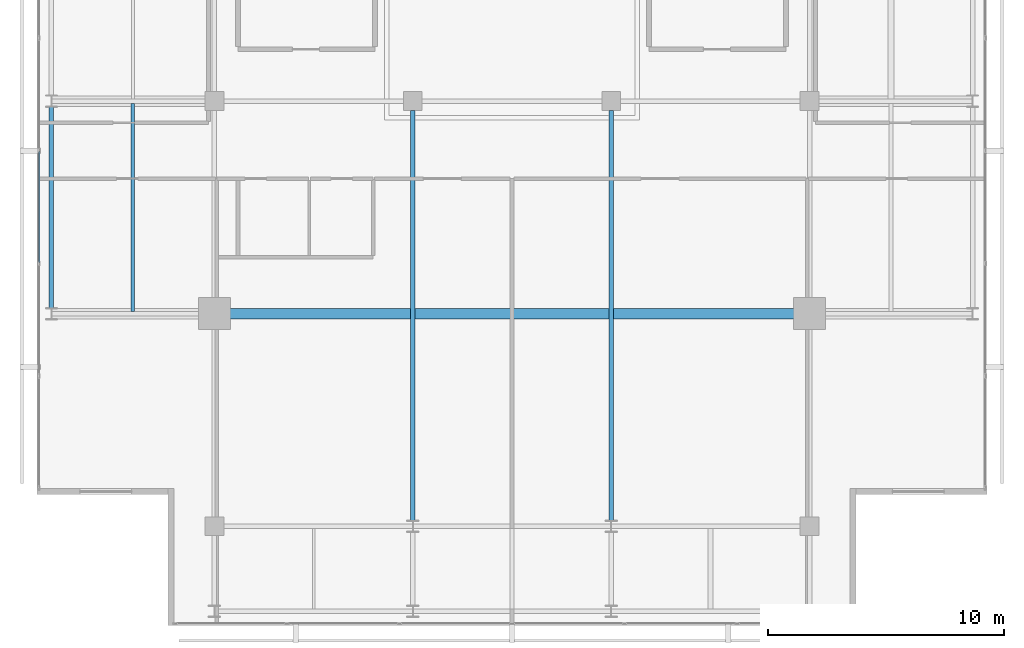
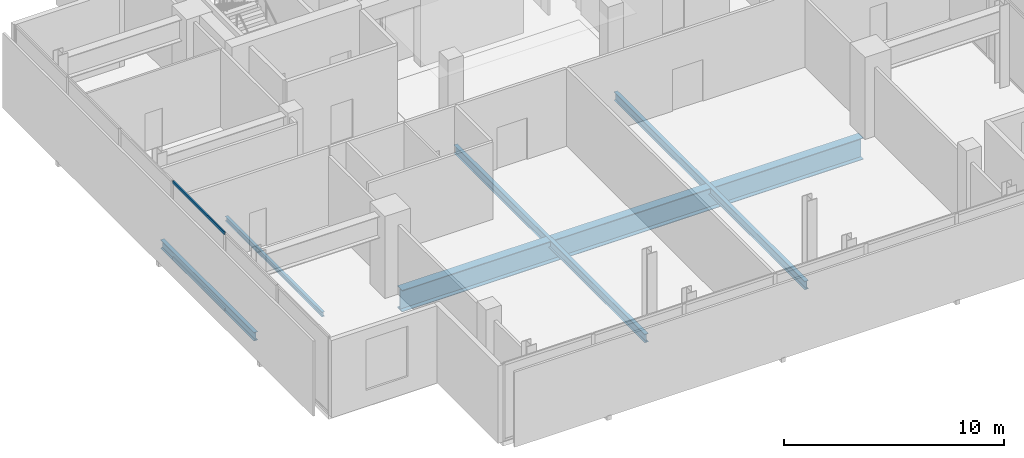
# One storey, part 6 of 23: 5 beams, 2 members, 1 element without a shape of its own.
"""IFC4 building model written with IfcOpenShell, lengths in metres."""

from ifc_helpers import new_model, si_unit, direction, frame, origin, origin_2d, place, context, subcontext, project, spatial, hollow_rectangle, i_section, extrude, material, layer, layer_set, material_profile, profile_set, type_object, element, aggregate, save


model = new_model("IFC4")

# Units and contexts
model_context = context("Model", 3, precision=1e-05, world=origin(), true_north=direction((0.0, 1.0)))
body_context = subcontext(model_context, "Body", "Model", "MODEL_VIEW")
ifc_project = project(units=[si_unit("LENGTHUNIT", "METRE"), si_unit("AREAUNIT", "SQUARE_METRE"), si_unit("VOLUMEUNIT", "CUBIC_METRE"), si_unit("PLANEANGLEUNIT", "RADIAN"), si_unit("MASSUNIT", "GRAM", prefix="KILO")], contexts=[model_context])

# Site, building, storey
site_placement = place(None, origin())
site = spatial("IfcSite", under=ifc_project, at=site_placement, CompositionType="ELEMENT")
building_placement = place(site_placement, origin())
building = spatial("IfcBuilding", under=site, at=building_placement, Name="Maruvema Waterfront Hotel and Observation Tower", CompositionType="ELEMENT")
storey_placement = place(building_placement, frame((0.0, 0.0, 349.64990234375)))
storey = spatial("IfcBuildingStorey", under=building, at=storey_placement, Name="L86", CompositionType="ELEMENT", Elevation=349.64990234375)

# Curtain wall, members
ifc_material_1 = material(Name="Anodised bronze aluminium and solar-control low-E IGU", Category="aluminium")
ifc_layer = layer(ifc_material_1, 0.159912109375, Name="Observation Crown Structural Glazed Curtain Wall System CW-06")
ifc_layer_set = layer_set([ifc_layer], Name="Anodised bronze aluminium and solar-control low-E IGU")
curtain_wall_type = type_object("IfcCurtainWallType", Name="Observation Crown Structural Glazed Curtain Wall System CW-06", PredefinedType="USERDEFINED", material=ifc_layer_set)
curtain_wall_placement = place(storey_placement, origin())
curtain_wall = element("IfcCurtainWall", 1, at=curtain_wall_placement, inside=storey, type_object=curtain_wall_type, Name="L86 Curtain Wall CW-L86-W", ObjectType="UNITISED CURTAIN WALL", PredefinedType="USERDEFINED")
ifc_material_2 = material(Name="Anodised architectural bronze aluminium", Category="aluminium")
ifc_material_profile_1 = material_profile(ifc_material_2, hollow_rectangle(XDim=0.070068359375, YDim=0.14990234375, WallThickness=0.00390625, at=origin_2d()), Name="ALU-T70x150")
ifc_profile_set_1 = profile_set([ifc_material_profile_1], Name="Anodised architectural bronze aluminium")
member_type = type_object("IfcMemberType", Name="Curtain Wall Horizontal Transom ALU-T70x150", PredefinedType="USERDEFINED", material=ifc_profile_set_1)
member_1_placement = place(storey_placement, frame((17.780029296875, 33.8701171875, 0.030029296875), z_axis=(0.0, -1.0, 0.0), x_axis=(1.0, 0.0, 0.0)))
member_1 = element("IfcMember", 2, at=member_1_placement, type_object=member_type, Name="CW-06 transom 4.1", ObjectType="TRANSOM", PredefinedType="USERDEFINED", context=body_context, shape_type="SweptSolid", body=[
    extrude(hollow_rectangle(XDim=0.070068359375, YDim=0.14990234375, WallThickness=0.00390625, at=origin_2d()), origin(), (0.0, 0.0, 1.0), 4.706787109375),
])
member_2_placement = place(storey_placement, frame((17.780029296875, 33.8701171875, 4.260009765625), z_axis=(0.0, -1.0, 0.0), x_axis=(1.0, 0.0, 0.0)))
member_2 = element("IfcMember", 3, at=member_2_placement, type_object=member_type, Name="CW-06 transom 4.2", ObjectType="TRANSOM", PredefinedType="USERDEFINED", context=body_context, shape_type="SweptSolid", body=[
    extrude(hollow_rectangle(XDim=0.070068359375, YDim=0.14990234375, WallThickness=0.00390625, at=origin_2d()), origin(), (0.0, 0.0, 1.0), 4.706787109375),
])
aggregate(curtain_wall, [member_1, member_2])

# Beams
ifc_material_3 = material(Name="Steel ASTM A572 Grade 50", Category="steel")
ifc_material_profile_2 = material_profile(ifc_material_3, i_section(OverallWidth=0.194091796875, OverallDepth=0.468994140625, WebThickness=0.0126953125, FlangeThickness=0.0205078125, FilletRadius=0.014892578125, at=origin_2d()), Name="W460x106.0")
ifc_profile_set_2 = profile_set([ifc_material_profile_2], Name="Steel ASTM A572 Grade 50")
beam_type_1 = type_object("IfcBeamType", Name="Primary Floor Girder W460x106.0", PredefinedType="BEAM", material=ifc_profile_set_2)
beam_1_placement = place(storey_placement, frame((18.300048828125, 27.25, -0.474365234375), z_axis=(0.0, 1.0, 0.0), x_axis=(-1.0, 0.0, 0.0)))
element("IfcBeam", 4, at=beam_1_placement, inside=storey, type_object=beam_type_1, Name="L86 Floor Girder NS-01", PredefinedType="BEAM", context=body_context, shape_type="SweptSolid", body=[
    extrude(i_section(OverallWidth=0.194091796875, OverallDepth=0.468994140625, WebThickness=0.0126953125, FlangeThickness=0.0205078125, FilletRadius=0.014892578125, at=origin_2d()), origin(), (0.0, 0.0, 1.0), 8.5),
])
for number, where, z_axis, x_axis, name in (
    (5, (33.60009765625, 18.25, -0.474365234375), (0.0, 1.0, 0.0), (-1.0, 0.0, 0.0), "L86 Floor Girder NS-08"),
    (6, (42.0, 18.25, -0.474365234375), (0.0, 1.0, 0.0), (-1.0, 0.0, 0.0), "L86 Floor Girder NS-10"),
):
    element("IfcBeam", number, at=place(storey_placement, frame(where, z_axis=z_axis, x_axis=x_axis)), inside=storey, type_object=beam_type_1, Name=name, PredefinedType="BEAM", context=body_context, shape_type="SweptSolid", body=[
        extrude(i_section(OverallWidth=0.194091796875, OverallDepth=0.468994140625, WebThickness=0.0126953125, FlangeThickness=0.0205078125, FilletRadius=0.014892578125, at=origin_2d()), origin(), (0.0, 0.0, 1.0), 17.35009765625),
    ])
ifc_material_4 = material(Name="Steel ASTM A572 Grade 50", Category="steel")
ifc_material_profile_3 = material_profile(ifc_material_4, i_section(OverallWidth=0.14599609375, OverallDepth=0.258056640625, WebThickness=0.006103515625, FlangeThickness=0.009033203125, FilletRadius=0.012939453125, at=origin_2d()), Name="W250x32.7")
ifc_profile_set_3 = profile_set([ifc_material_profile_3], Name="Steel ASTM A572 Grade 50")
beam_type_2 = type_object("IfcBeamType", Name="Secondary Floor Joist W250x32.7", PredefinedType="JOIST", material=ifc_profile_set_3)
beam_2_placement = place(storey_placement, frame((21.75, 27.096923828125, -0.368896484375), z_axis=(0.0, 1.0, 0.0), x_axis=(-1.0, 0.0, 0.0)))
element("IfcBeam", 7, at=beam_2_placement, inside=storey, type_object=beam_type_2, Name="L86 Secondary Floor Joist JS-01", PredefinedType="JOIST", context=body_context, shape_type="SweptSolid", body=[
    extrude(i_section(OverallWidth=0.14599609375, OverallDepth=0.258056640625, WebThickness=0.006103515625, FlangeThickness=0.009033203125, FilletRadius=0.012939453125, at=origin_2d()), origin(), (0.0, 0.0, 1.0), 8.80615234375),
])
ifc_material_5 = material(Name="Steel ABNT NBR 7007 AR 415 (ASTM A572 Grade 50)", Category="steel")
ifc_material_profile_4 = material_profile(ifc_material_5, i_section(OverallWidth=0.449951171875, OverallDepth=1.199951171875, WebThickness=0.01904296875, FlangeThickness=0.031982421875, at=origin_2d()), Name="VS1200x366")
ifc_profile_set_4 = profile_set([ifc_material_profile_4], Name="Steel ABNT NBR 7007 AR 415 (ASTM A572 Grade 50)")
beam_type_3 = type_object("IfcBeamType", Name="Upper Setback Transfer Girder VS1200x366", PredefinedType="USERDEFINED", material=ifc_profile_set_4)
beam_3_placement = place(storey_placement, frame((25.699951171875, 27.0, -0.83984375), z_axis=(1.0, 0.0, 0.0), x_axis=(0.0, 1.0, 0.0)))
element("IfcBeam", 8, at=beam_3_placement, inside=storey, type_object=beam_type_3, Name="L86 Floor Girder EW-08", ObjectType="TRANSFER GIRDER", PredefinedType="USERDEFINED", context=body_context, shape_type="SweptSolid", body=[
    extrude(i_section(OverallWidth=0.449951171875, OverallDepth=1.199951171875, WebThickness=0.01904296875, FlangeThickness=0.031982421875, at=origin_2d()), origin(), (0.0, 0.0, 1.0), 24.199951171875),
])

save(model, "model.ifc")
